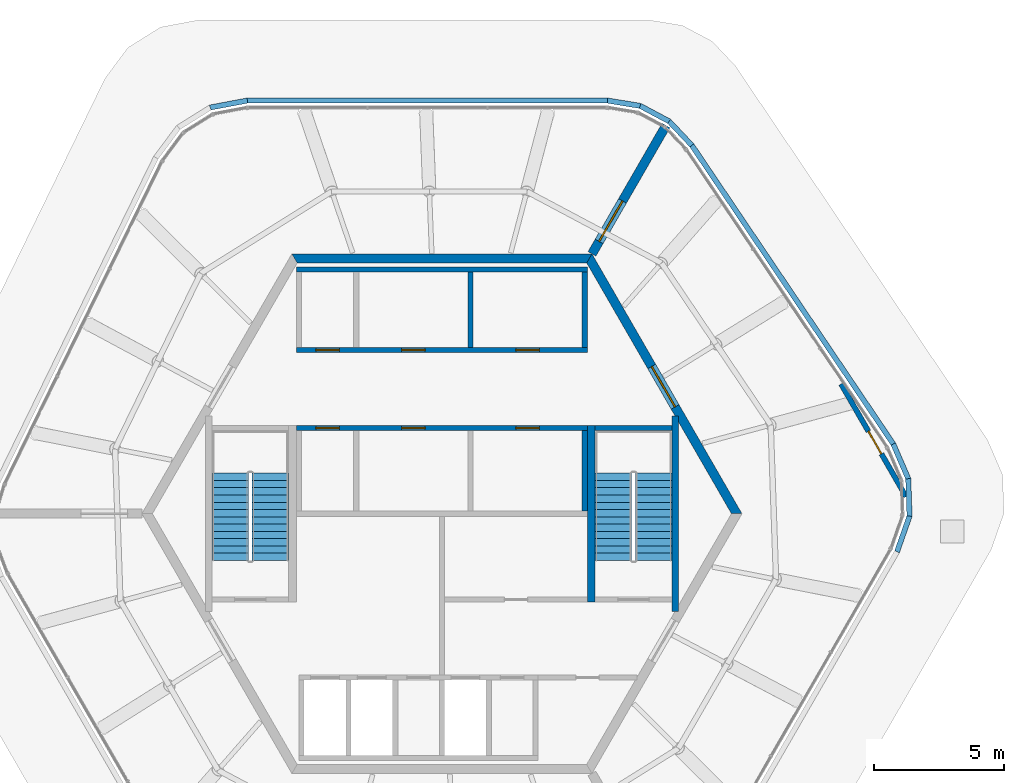
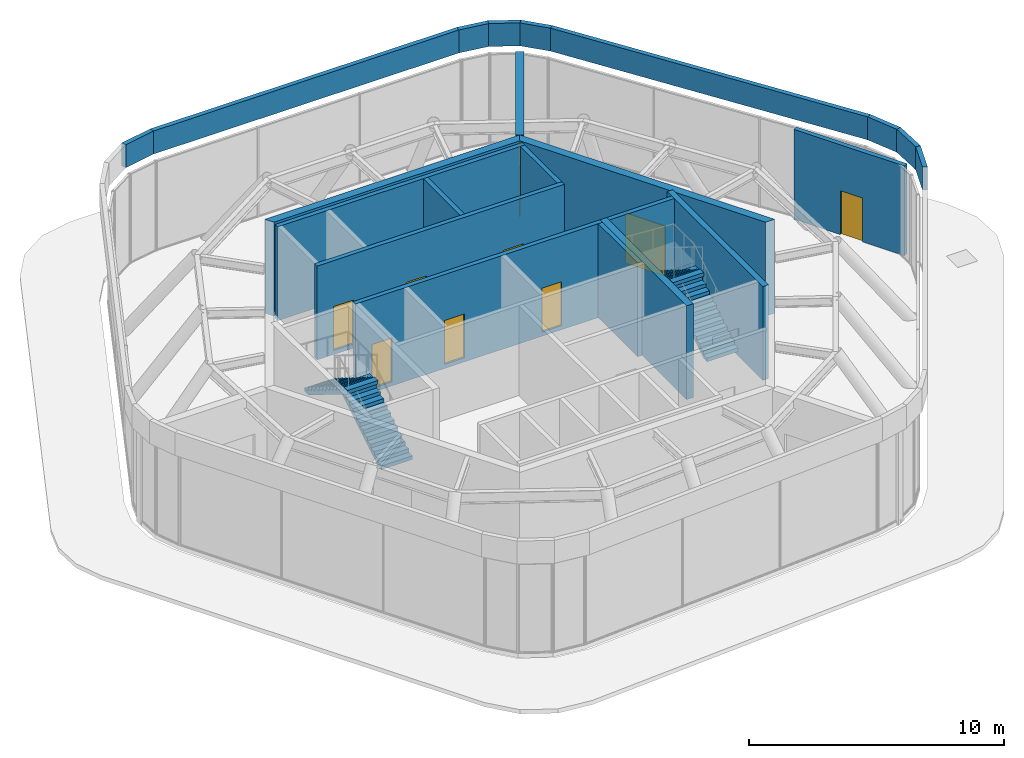
# One storey, part 8 of 9: 22 walls, 9 doors, 4 stair flights, 9 openings, 2 elements without a shape of their own.
"""IFC4 building model written with IfcOpenShell, lengths in metres."""

from ifc_helpers import new_model, si_unit, direction, frame, frame_2d, origin, place, context, subcontext, project, spatial, polyline, rectangle, outline, extrude, material, layer, layer_set, type_object, element, fill, aggregate, save


model = new_model("IFC4")

# Units and contexts
model_context = context("Model", 3, precision=1e-05, world=origin(), true_north=direction((0.0, 1.0)))
body_context = subcontext(model_context, "Body", "Model", "MODEL_VIEW")
ifc_project = project(units=[si_unit("LENGTHUNIT", "METRE"), si_unit("AREAUNIT", "SQUARE_METRE"), si_unit("VOLUMEUNIT", "CUBIC_METRE"), si_unit("PLANEANGLEUNIT", "RADIAN"), si_unit("MASSUNIT", "GRAM", prefix="KILO")], contexts=[model_context])

# Site, building, storey
site_placement = place(None, origin())
site = spatial("IfcSite", under=ifc_project, at=site_placement, CompositionType="ELEMENT")
building_placement = place(site_placement, origin())
building = spatial("IfcBuilding", under=site, at=building_placement, Name="Tarnside Tower", CompositionType="ELEMENT")
storey_placement = place(building_placement, frame((0.0, 0.0, 397.199951171875)))
storey = spatial("IfcBuildingStorey", under=building, at=storey_placement, Name="L94", CompositionType="ELEMENT", Elevation=397.199951171875)

# Wall, opening, door
ifc_material_1 = material(Name="Concrete C50/60", Category="concrete")
ifc_layer_1 = layer(ifc_material_1, 0.35009765625)
ifc_layer_set_1 = layer_set([ifc_layer_1], Name="Core wall Z4 350 C50/60")
wall_type_1 = type_object("IfcWallType", Name="Core wall Z4 350 C50/60", PredefinedType="SHEAR", material=ifc_layer_set_1)
wall_1_placement = place(storey_placement, frame((11.344970703125, 0.0, -0.199951171875), z_axis=(0.0, 0.0, 1.0), x_axis=(-0.499995046907, 0.866028263435, 0.0)))
wall_1 = element("IfcWall", 1, at=wall_1_placement, inside=storey, type_object=wall_type_1, Name="L94 core wall face 6", PredefinedType="SHEAR", context=body_context, shape_type="SweptSolid", body=[
    extrude(outline(polyline([(-0.10107421875, -0.175048828125), (11.44580078125, -0.175048828125), (11.24365234375, 0.175048828125), (0.10107421875, 0.175048828125), (-0.10107421875, -0.175048828125)])), origin(), (0.0, 0.0, 1.0), 4.5),
])
opening_1_placement = place(wall_1_placement, frame((4.74365234375, 0.0, 0.199951171875)))
opening_1 = element("IfcOpeningElement", 2, at=opening_1_placement, cuts=wall_1, Name="Opening CD-LOB", PredefinedType="OPENING", context=body_context, shape_type="SweptSolid", body=[
    extrude(rectangle(XDim=1.800048828125, YDim=2.39990234375, at=frame_2d((0.89990234375, 1.199951171875))), frame((0.0, 0.18505859375, 0.0), z_axis=(0.0, -1.0, 0.0), x_axis=(1.0, 0.0, 0.0)), (0.0, 0.0, 1.0), 0.3701171875),
])
ifc_material_2 = material(Name="Steel fire door", Category="steel")
door_type_1 = type_object("IfcDoorType", Name="Lobby double door FD30S 1800x2400", OperationType="NOTDEFINED", PredefinedType="DOOR", material=ifc_material_2)
door_1_placement = place(opening_1_placement, origin())
door_1 = element("IfcDoor", 3, at=door_1_placement, inside=storey, type_object=door_type_1, Name="L94 core door P2", OperationType="DOUBLE_DOOR_SINGLE_SWING", OverallHeight=2.39990234375, OverallWidth=1.800048828125, PredefinedType="DOOR", context=body_context, shape_type="SweptSolid", body=[
    extrude(rectangle(XDim=1.800048828125, YDim=2.39990234375, at=frame_2d((0.89990234375, 1.199951171875))), frame((0.0, 0.02490234375, 0.0), z_axis=(0.0, -1.0, 0.0), x_axis=(1.0, 0.0, 0.0)), (0.0, 0.0, 1.0), 0.050048828125),
])
fill(opening_1, door_1)

# Wall
wall_2_placement = place(storey_placement, frame((5.672607421875, 9.824951171875, -0.199951171875), z_axis=(0.0, 0.0, 1.0), x_axis=(-1.0, 0.0, 0.0)))
element("IfcWall", 4, at=wall_2_placement, inside=storey, type_object=wall_type_1, Name="L94 core wall face 1", PredefinedType="SHEAR", context=body_context, shape_type="SweptSolid", body=[
    extrude(outline(polyline([(-0.10107421875, -0.175048828125), (11.4462890625, -0.175048828125), (11.244140625, 0.175048828125), (0.10107421875, 0.175048828125), (-0.10107421875, -0.175048828125)])), origin(), (0.0, 0.0, 1.0), 4.5),
])

# Wall, opening, door
wall_3_placement = place(storey_placement, frame((5.7734375, 10.0, -0.199951171875), z_axis=(0.0, 0.0, 1.0), x_axis=(0.499991653138, 0.866030222794, 0.0)))
wall_3 = element("IfcWall", 5, at=wall_3_placement, inside=storey, type_object=wall_type_1, Name="L94 spine wall 1", PredefinedType="SHEAR", context=body_context, shape_type="SweptSolid", body=[
    extrude(rectangle(XDim=5.70458984375, YDim=0.35009765625, at=frame_2d((2.852294921875, 0.0))), origin(), (0.0, 0.0, 1.0), 4.5),
])
opening_2_placement = place(wall_3_placement, frame((0.55224609375, 0.0, 0.199951171875)))
opening_2 = element("IfcOpeningElement", 6, at=opening_2_placement, cuts=wall_3, Name="Opening CD-SPN", PredefinedType="OPENING", context=body_context, shape_type="SweptSolid", body=[
    extrude(rectangle(XDim=1.800048828125, YDim=2.39990234375, at=frame_2d((0.89990234375, 1.199951171875))), frame((0.0, 0.18505859375, 0.0), z_axis=(0.0, -1.0, 0.0), x_axis=(1.0, 0.0, 0.0)), (0.0, 0.0, 1.0), 0.3701171875),
])
door_type_2 = type_object("IfcDoorType", Name="Spine passage double door FD60 1800x2400", OperationType="NOTDEFINED", PredefinedType="DOOR", material=ifc_material_2)
door_2_placement = place(opening_2_placement, origin())
door_2 = element("IfcDoor", 7, at=door_2_placement, inside=storey, type_object=door_type_2, Name="L94 spine passage door 1", OperationType="DOUBLE_DOOR_SINGLE_SWING", OverallHeight=2.39990234375, OverallWidth=1.800048828125, PredefinedType="DOOR", context=body_context, shape_type="SweptSolid", body=[
    extrude(rectangle(XDim=1.800048828125, YDim=2.39990234375, at=frame_2d((0.89990234375, 1.199951171875))), frame((0.0, 0.02490234375, 0.0), z_axis=(0.0, -1.0, 0.0), x_axis=(1.0, 0.0, 0.0)), (0.0, 0.0, 1.0), 0.050048828125),
])
fill(opening_2, door_2)

# Wall, openings, doors
ifc_material_3 = material(Name="Concrete C40/50", Category="concrete")
ifc_layer_2 = layer(ifc_material_3, 0.199951171875)
ifc_layer_set_2 = layer_set([ifc_layer_2], Name="Lift shaft wall 200 C40/50")
wall_type_2 = type_object("IfcWallType", Name="Lift shaft wall 200 C40/50", PredefinedType="SHEAR", material=ifc_layer_set_2)
wall_4_placement = place(storey_placement, frame((-5.60009765625, 6.300048828125, -0.199951171875), z_axis=(0.0, 0.0, 1.0), x_axis=(1.0, 0.0, 0.0)))
wall_4 = element("IfcWall", 8, at=wall_4_placement, inside=storey, type_object=wall_type_2, Name="L94 lift shaft front wall R1", PredefinedType="SHEAR", context=body_context, shape_type="SweptSolid", body=[
    extrude(rectangle(XDim=11.2001953125, YDim=0.199951171875, at=frame_2d((5.60009765625, 0.0))), origin(), (0.0, 0.0, 1.0), 4.5),
])
opening_3_placement = place(wall_4_placement, frame((0.75, 0.0, 0.199951171875)))
opening_3 = element("IfcOpeningElement", 9, at=opening_3_placement, cuts=wall_4, Name="Opening CD-room", PredefinedType="OPENING", context=body_context, shape_type="SweptSolid", body=[
    extrude(rectangle(XDim=0.89990234375, YDim=2.10009765625, at=frame_2d((0.449951171875, 1.050048828125))), frame((0.0, 0.10986328125, 0.0), z_axis=(0.0, -1.0, 0.0), x_axis=(1.0, 0.0, 0.0)), (0.0, 0.0, 1.0), 0.219970703125),
])
opening_4_placement = place(wall_4_placement, frame((4.050048828125, 0.0, 0.199951171875)))
opening_4 = element("IfcOpeningElement", 10, at=opening_4_placement, cuts=wall_4, Name="Opening CD-room", PredefinedType="OPENING", context=body_context, shape_type="SweptSolid", body=[
    extrude(rectangle(XDim=0.89990234375, YDim=2.10009765625, at=frame_2d((0.449951171875, 1.050048828125))), frame((0.0, 0.10986328125, 0.0), z_axis=(0.0, -1.0, 0.0), x_axis=(1.0, 0.0, 0.0)), (0.0, 0.0, 1.0), 0.219970703125),
])
opening_5_placement = place(wall_4_placement, frame((8.449951171875, 0.0, 0.199951171875)))
opening_5 = element("IfcOpeningElement", 11, at=opening_5_placement, cuts=wall_4, Name="Opening CD-room", PredefinedType="OPENING", context=body_context, shape_type="SweptSolid", body=[
    extrude(rectangle(XDim=0.89990234375, YDim=2.10009765625, at=frame_2d((0.449951171875, 1.050048828125))), frame((0.0, 0.10986328125, 0.0), z_axis=(0.0, -1.0, 0.0), x_axis=(1.0, 0.0, 0.0)), (0.0, 0.0, 1.0), 0.219970703125),
])
door_type_3 = type_object("IfcDoorType", Name="Room door FD60 900x2100", OperationType="NOTDEFINED", PredefinedType="DOOR", material=ifc_material_2)
door_3_placement = place(opening_3_placement, origin())
door_3 = element("IfcDoor", 12, at=door_3_placement, inside=storey, type_object=door_type_3, Name="L94 core room door FC1", OperationType="SINGLE_SWING_LEFT", OverallHeight=2.10009765625, OverallWidth=0.89990234375, PredefinedType="DOOR", context=body_context, shape_type="SweptSolid", body=[
    extrude(rectangle(XDim=0.89990234375, YDim=2.10009765625, at=frame_2d((0.449951171875, 1.050048828125))), frame((0.0, 0.02490234375, 0.0), z_axis=(0.0, -1.0, 0.0), x_axis=(1.0, 0.0, 0.0)), (0.0, 0.0, 1.0), 0.050048828125),
])
fill(opening_3, door_3)
door_4_placement = place(opening_4_placement, origin())
door_4 = element("IfcDoor", 13, at=door_4_placement, inside=storey, type_object=door_type_3, Name="L94 core room door FC2", OperationType="SINGLE_SWING_LEFT", OverallHeight=2.10009765625, OverallWidth=0.89990234375, PredefinedType="DOOR", context=body_context, shape_type="SweptSolid", body=[
    extrude(rectangle(XDim=0.89990234375, YDim=2.10009765625, at=frame_2d((0.449951171875, 1.050048828125))), frame((0.0, 0.02490234375, 0.0), z_axis=(0.0, -1.0, 0.0), x_axis=(1.0, 0.0, 0.0)), (0.0, 0.0, 1.0), 0.050048828125),
])
fill(opening_4, door_4)
door_5_placement = place(opening_5_placement, origin())
door_5 = element("IfcDoor", 14, at=door_5_placement, inside=storey, type_object=door_type_3, Name="L94 core room door FC3", OperationType="SINGLE_SWING_LEFT", OverallHeight=2.10009765625, OverallWidth=0.89990234375, PredefinedType="DOOR", context=body_context, shape_type="SweptSolid", body=[
    extrude(rectangle(XDim=0.89990234375, YDim=2.10009765625, at=frame_2d((0.449951171875, 1.050048828125))), frame((0.0, 0.02490234375, 0.0), z_axis=(0.0, -1.0, 0.0), x_axis=(1.0, 0.0, 0.0)), (0.0, 0.0, 1.0), 0.050048828125),
])
fill(opening_5, door_5)

# Walls
wall_5_placement = place(storey_placement, frame((-5.60009765625, 9.39990234375, -0.199951171875), z_axis=(0.0, 0.0, 1.0), x_axis=(1.0, 0.0, 0.0)))
element("IfcWall", 15, at=wall_5_placement, inside=storey, type_object=wall_type_2, Name="L94 lift shaft back wall R1", PredefinedType="SHEAR", context=body_context, shape_type="SweptSolid", body=[
    extrude(rectangle(XDim=11.2001953125, YDim=0.199951171875, at=frame_2d((5.60009765625, 0.0))), origin(), (0.0, 0.0, 1.0), 4.5),
])
for number, where, z_axis, x_axis, name in (
    (16, (1.10009765625, 6.39990234375, -0.199951171875), (0.0, 0.0, 1.0), (0.0, 1.0, 0.0), "L94 lift shaft partition R14"),
    (17, (5.5, 6.39990234375, -0.199951171875), (0.0, 0.0, 1.0), (0.0, 1.0, 0.0), "L94 lift shaft partition R16"),
):
    element("IfcWall", number, at=place(storey_placement, frame(where, z_axis=z_axis, x_axis=x_axis)), inside=storey, type_object=wall_type_2, Name=name, PredefinedType="SHEAR", context=body_context, shape_type="SweptSolid", body=[
        extrude(rectangle(XDim=2.900146484375, YDim=0.199951171875, at=frame_2d((1.4501953125, 0.0))), origin(), (0.0, 0.0, 1.0), 4.5),
    ])

# Wall, openings, doors
wall_6_placement = place(storey_placement, frame((-5.60009765625, 3.300048828125, -0.199951171875), z_axis=(0.0, 0.0, 1.0), x_axis=(1.0, 0.0, 0.0)))
wall_6 = element("IfcWall", 18, at=wall_6_placement, inside=storey, type_object=wall_type_2, Name="L94 lift shaft front wall R2", PredefinedType="SHEAR", context=body_context, shape_type="SweptSolid", body=[
    extrude(rectangle(XDim=11.2001953125, YDim=0.199951171875, at=frame_2d((5.60009765625, 0.0))), origin(), (0.0, 0.0, 1.0), 4.5),
])
opening_6_placement = place(wall_6_placement, frame((0.75, 0.0, 0.199951171875)))
opening_6 = element("IfcOpeningElement", 19, at=opening_6_placement, cuts=wall_6, Name="Opening CD-room", PredefinedType="OPENING", context=body_context, shape_type="SweptSolid", body=[
    extrude(rectangle(XDim=0.89990234375, YDim=2.10009765625, at=frame_2d((0.449951171875, 1.050048828125))), frame((0.0, 0.10986328125, 0.0), z_axis=(0.0, -1.0, 0.0), x_axis=(1.0, 0.0, 0.0)), (0.0, 0.0, 1.0), 0.219970703125),
])
opening_7_placement = place(wall_6_placement, frame((4.050048828125, 0.0, 0.199951171875)))
opening_7 = element("IfcOpeningElement", 20, at=opening_7_placement, cuts=wall_6, Name="Opening CD-room", PredefinedType="OPENING", context=body_context, shape_type="SweptSolid", body=[
    extrude(rectangle(XDim=0.89990234375, YDim=2.10009765625, at=frame_2d((0.449951171875, 1.050048828125))), frame((0.0, 0.10986328125, 0.0), z_axis=(0.0, -1.0, 0.0), x_axis=(1.0, 0.0, 0.0)), (0.0, 0.0, 1.0), 0.219970703125),
])
opening_8_placement = place(wall_6_placement, frame((8.449951171875, 0.0, 0.199951171875)))
opening_8 = element("IfcOpeningElement", 21, at=opening_8_placement, cuts=wall_6, Name="Opening CD-room", PredefinedType="OPENING", context=body_context, shape_type="SweptSolid", body=[
    extrude(rectangle(XDim=0.89990234375, YDim=2.10009765625, at=frame_2d((0.449951171875, 1.050048828125))), frame((0.0, 0.10986328125, 0.0), z_axis=(0.0, -1.0, 0.0), x_axis=(1.0, 0.0, 0.0)), (0.0, 0.0, 1.0), 0.219970703125),
])
door_6_placement = place(opening_6_placement, origin())
door_6 = element("IfcDoor", 22, at=door_6_placement, inside=storey, type_object=door_type_3, Name="L94 core room door FC4", OperationType="SINGLE_SWING_LEFT", OverallHeight=2.10009765625, OverallWidth=0.89990234375, PredefinedType="DOOR", context=body_context, shape_type="SweptSolid", body=[
    extrude(rectangle(XDim=0.89990234375, YDim=2.10009765625, at=frame_2d((0.449951171875, 1.050048828125))), frame((0.0, 0.02490234375, 0.0), z_axis=(0.0, -1.0, 0.0), x_axis=(1.0, 0.0, 0.0)), (0.0, 0.0, 1.0), 0.050048828125),
])
fill(opening_6, door_6)
door_7_placement = place(opening_7_placement, origin())
door_7 = element("IfcDoor", 23, at=door_7_placement, inside=storey, type_object=door_type_3, Name="L94 core room door FC5", OperationType="SINGLE_SWING_LEFT", OverallHeight=2.10009765625, OverallWidth=0.89990234375, PredefinedType="DOOR", context=body_context, shape_type="SweptSolid", body=[
    extrude(rectangle(XDim=0.89990234375, YDim=2.10009765625, at=frame_2d((0.449951171875, 1.050048828125))), frame((0.0, 0.02490234375, 0.0), z_axis=(0.0, -1.0, 0.0), x_axis=(1.0, 0.0, 0.0)), (0.0, 0.0, 1.0), 0.050048828125),
])
fill(opening_7, door_7)
door_8_placement = place(opening_8_placement, origin())
door_8 = element("IfcDoor", 24, at=door_8_placement, inside=storey, type_object=door_type_3, Name="L94 core room door FC6", OperationType="SINGLE_SWING_LEFT", OverallHeight=2.10009765625, OverallWidth=0.89990234375, PredefinedType="DOOR", context=body_context, shape_type="SweptSolid", body=[
    extrude(rectangle(XDim=0.89990234375, YDim=2.10009765625, at=frame_2d((0.449951171875, 1.050048828125))), frame((0.0, 0.02490234375, 0.0), z_axis=(0.0, -1.0, 0.0), x_axis=(1.0, 0.0, 0.0)), (0.0, 0.0, 1.0), 0.050048828125),
])
fill(opening_8, door_8)

# Walls
wall_7_placement = place(storey_placement, frame((5.5, 0.10009765625, -0.199951171875), z_axis=(0.0, 0.0, 1.0), x_axis=(0.0, 1.0, 0.0)))
element("IfcWall", 25, at=wall_7_placement, inside=storey, type_object=wall_type_2, Name="L94 lift shaft partition R26", PredefinedType="SHEAR", context=body_context, shape_type="SweptSolid", body=[
    extrude(rectangle(XDim=3.099853515625, YDim=0.199951171875, at=frame_2d((1.5498046875, 0.0))), origin(), (0.0, 0.0, 1.0), 4.5),
])
wall_8_placement = place(storey_placement, frame((5.89990234375, 3.300048828125, -0.199951171875), z_axis=(0.0, 0.0, 1.0), x_axis=(1.0, 0.0, 0.0)))
element("IfcWall", 26, at=wall_8_placement, inside=storey, type_object=wall_type_2, Name="L94 stair 1 enclosure cap wall n", PredefinedType="SHEAR", context=body_context, shape_type="SweptSolid", body=[
    extrude(rectangle(XDim=2.9501953125, YDim=0.199951171875, at=frame_2d((1.47509765625, 0.0))), origin(), (0.0, 0.0, 1.0), 4.5),
])
ifc_material_4 = material(Name="Concrete C35/45 precast", Category="concrete")
ifc_layer_3 = layer(ifc_material_4, 0.199951171875)
ifc_layer_set_3 = layer_set([ifc_layer_3], Name="Parapet 200 x 1100")
wall_type_3 = type_object("IfcWallType", Name="Parapet 200 x 1100", PredefinedType="PARAPET", material=ifc_layer_set_3)
wall_9_placement = place(storey_placement, frame((6.372314453125, 15.89990234375, 4.5), z_axis=(0.0, 0.0, 1.0), x_axis=(0.986779937267, -0.162065898346, 0.0)))
element("IfcWall", 27, at=wall_9_placement, inside=storey, type_object=wall_type_3, Name="Roof parapet 01", PredefinedType="PARAPET", context=body_context, shape_type="SweptSolid", body=[
    extrude(outline(polyline([(0.008056640625, -0.10009765625), (1.256591796875, -0.10009765625), (1.289306640625, 0.10009765625), (-0.008056640625, 0.10009765625), (0.008056640625, -0.10009765625)])), origin(), (0.0, 0.0, 1.0), 1.10009765625),
])
wall_10_placement = place(storey_placement, frame((7.62841796875, 15.693603515625, 4.5), z_axis=(0.0, 0.0, 1.0), x_axis=(0.88290815292, -0.469545731008, 0.0)))
element("IfcWall", 28, at=wall_10_placement, inside=storey, type_object=wall_type_3, Name="Roof parapet 02", PredefinedType="PARAPET", context=body_context, shape_type="SweptSolid", body=[
    extrude(outline(polyline([(0.016357421875, -0.10009765625), (1.248046875, -0.10009765625), (1.28076171875, 0.10009765625), (-0.016357421875, 0.10009765625), (0.016357421875, -0.10009765625)])), origin(), (0.0, 0.0, 1.0), 1.10009765625),
])
wall_11_placement = place(storey_placement, frame((8.744873046875, 15.099853515625, 4.5), z_axis=(0.0, 0.0, 1.0), x_axis=(0.686285527981, -0.727332230885, 0.0)))
element("IfcWall", 29, at=wall_11_placement, inside=storey, type_object=wall_type_3, Name="Roof parapet 03", PredefinedType="PARAPET", context=body_context, shape_type="SweptSolid", body=[
    extrude(outline(polyline([(0.016357421875, -0.10009765625), (1.264892578125, -0.10009765625), (1.281005859375, 0.10009765625), (-0.016357421875, 0.10009765625), (0.016357421875, -0.10009765625)])), origin(), (0.0, 0.0, 1.0), 1.10009765625),
])
wall_12_placement = place(storey_placement, frame((9.618408203125, 14.174072265625, 4.5), z_axis=(0.0, 0.0, 1.0), x_axis=(0.559191500603, -0.8290385188, 0.0)))
element("IfcWall", 30, at=wall_12_placement, inside=storey, type_object=wall_type_3, Name="Roof parapet 04", PredefinedType="PARAPET", context=body_context, shape_type="SweptSolid", body=[
    extrude(outline(polyline([(0.008056640625, -0.10009765625), (13.852294921875, -0.10009765625), (13.870849609375, 0.10009765625), (-0.008056640625, 0.10009765625), (0.008056640625, -0.10009765625)])), origin(), (0.0, 0.0, 1.0), 1.10009765625),
])
wall_13_placement = place(storey_placement, frame((17.36962890625, 2.682373046875, 4.5), z_axis=(0.0, 0.0, 1.0), x_axis=(0.396007748468, -0.918247168879, 0.0)))
element("IfcWall", 31, at=wall_13_placement, inside=storey, type_object=wall_type_3, Name="Roof parapet 05", PredefinedType="PARAPET", context=body_context, shape_type="SweptSolid", body=[
    extrude(outline(polyline([(0.00927734375, -0.10009765625), (1.43359375, -0.10009765625), (1.47119140625, 0.10009765625), (-0.00927734375, 0.10009765625), (0.00927734375, -0.10009765625)])), origin(), (0.0, 0.0, 1.0), 1.10009765625),
])
wall_14_placement = place(storey_placement, frame((17.94482421875, 1.3486328125, 4.5), z_axis=(0.0, 0.0, 1.0), x_axis=(0.035021671997, -0.999386553087, 0.0)))
element("IfcWall", 32, at=wall_14_placement, inside=storey, type_object=wall_type_3, Name="Roof parapet 06", PredefinedType="PARAPET", context=body_context, shape_type="SweptSolid", body=[
    extrude(outline(polyline([(0.018798828125, -0.10009765625), (1.42431640625, -0.10009765625), (1.4619140625, 0.10009765625), (-0.018798828125, 0.10009765625), (0.018798828125, -0.10009765625)])), origin(), (0.0, 0.0, 1.0), 1.10009765625),
])
wall_15_placement = place(storey_placement, frame((17.995361328125, -0.093505859375, 4.5), z_axis=(0.0, 0.0, 1.0), x_axis=(-0.331061462049, -0.943609192593, 0.0)))
element("IfcWall", 33, at=wall_15_placement, inside=storey, type_object=wall_type_3, Name="Roof parapet 07", PredefinedType="PARAPET", context=body_context, shape_type="SweptSolid", body=[
    extrude(outline(polyline([(0.018798828125, -0.10009765625), (1.443603515625, -0.10009765625), (1.462158203125, 0.10009765625), (-0.018798828125, 0.10009765625), (0.018798828125, -0.10009765625)])), origin(), (0.0, 0.0, 1.0), 1.10009765625),
])
wall_16_placement = place(storey_placement, frame((-8.91650390625, 15.631103515625, 4.5), z_axis=(0.0, 0.0, 1.0), x_axis=(0.982729187844, 0.185049570005, 0.0)))
element("IfcWall", 34, at=wall_16_placement, inside=storey, type_object=wall_type_3, Name="Roof parapet 23", PredefinedType="PARAPET", context=body_context, shape_type="SweptSolid", body=[
    extrude(outline(polyline([(0.018798828125, -0.10009765625), (1.443359375, -0.10009765625), (1.4619140625, 0.10009765625), (-0.018798828125, 0.10009765625), (0.018798828125, -0.10009765625)])), origin(), (0.0, 0.0, 1.0), 1.10009765625),
])
wall_17_placement = place(storey_placement, frame((-7.489013671875, 15.89990234375, 4.5), z_axis=(0.0, 0.0, 1.0), x_axis=(1.0, 0.0, 0.0)))
element("IfcWall", 35, at=wall_17_placement, inside=storey, type_object=wall_type_3, Name="Roof parapet 24", PredefinedType="PARAPET", context=body_context, shape_type="SweptSolid", body=[
    extrude(outline(polyline([(0.00927734375, -0.10009765625), (13.853271484375, -0.10009765625), (13.869384765625, 0.10009765625), (-0.00927734375, 0.10009765625), (0.00927734375, -0.10009765625)])), origin(), (0.0, 0.0, 1.0), 1.10009765625),
])
ifc_layer_4 = layer(ifc_material_3, 0.25)
ifc_layer_set_4 = layer_set([ifc_layer_4], Name="Stair enclosure wall 250 C40/50")
wall_type_4 = type_object("IfcWallType", Name="Stair enclosure wall 250 C40/50", PredefinedType="SHEAR", material=ifc_layer_set_4)
wall_18_placement = place(storey_placement, frame((8.97509765625, -3.7548828125, -0.199951171875), z_axis=(0.0, 0.0, 1.0), x_axis=(0.0, 1.0, 0.0)))
element("IfcWall", 36, at=wall_18_placement, inside=storey, type_object=wall_type_4, Name="L94 stair 1 enclosure wall outer", PredefinedType="SHEAR", context=body_context, shape_type="SweptSolid", body=[
    extrude(rectangle(XDim=7.509765625, YDim=0.25, at=frame_2d((3.7548828125, 0.0))), origin(), (0.0, 0.0, 1.0), 4.5),
])
ifc_layer_5 = layer(ifc_material_3, 0.300048828125)
ifc_layer_set_5 = layer_set([ifc_layer_5], Name="Stair enclosure wall 300 C40/50")
wall_type_5 = type_object("IfcWallType", Name="Stair enclosure wall 300 C40/50", PredefinedType="SHEAR", material=ifc_layer_set_5)
wall_19_placement = place(storey_placement, frame((5.75, -3.39990234375, -0.199951171875), z_axis=(0.0, 0.0, 1.0), x_axis=(0.0, 1.0, 0.0)))
element("IfcWall", 37, at=wall_19_placement, inside=storey, type_object=wall_type_5, Name="L94 stair 1 enclosure wall inner", PredefinedType="SHEAR", context=body_context, shape_type="SweptSolid", body=[
    extrude(rectangle(XDim=6.7998046875, YDim=0.300048828125, at=frame_2d((3.39990234375, 0.0))), origin(), (0.0, 0.0, 1.0), 4.5),
])

# Wall, opening, door
ifc_material_5 = material(Name="Concrete C32/40", Category="concrete")
ifc_layer_6 = layer(ifc_material_5, 0.199951171875)
ifc_layer_set_6 = layer_set([ifc_layer_6], Name="Wall 200 reinforced Concrete C32/40")
wall_type_6 = type_object("IfcWallType", Name="Wall 200 reinforced Concrete C32/40", PredefinedType="PARTITIONING", material=ifc_layer_set_6)
wall_20_placement = place(storey_placement, frame((15.362060546875, 4.991943359375, 0.0), z_axis=(0.0, 0.0, 1.0), x_axis=(0.499915218853, -0.866074346669, 0.0)))
wall_20 = element("IfcWall", 38, at=wall_20_placement, inside=storey, type_object=wall_type_6, Name="Partition 000", PredefinedType="PARTITIONING", context=body_context, shape_type="SweptSolid", body=[
    extrude(rectangle(XDim=5.006591796875, YDim=0.199951171875, at=frame_2d((2.50341796875, 0.0))), origin(), (0.0, 0.0, 1.0), 4.300048828125),
])
opening_9_placement = place(wall_20_placement, frame((2.103271484375, 0.0, 0.0)))
opening_9 = element("IfcOpeningElement", 39, at=opening_9_placement, cuts=wall_20, Name="Opening D1000F60", PredefinedType="OPENING", context=body_context, shape_type="SweptSolid", body=[
    extrude(rectangle(XDim=1.0, YDim=2.10009765625, at=frame_2d((0.5, 1.050048828125))), frame((0.0, 0.10986328125, 0.0), z_axis=(0.0, -1.0, 0.0), x_axis=(1.0, 0.0, 0.0)), (0.0, 0.0, 1.0), 0.219970703125),
])
ifc_material_6 = material(Name="Timber door leaf", Category="wood")
door_type_4 = type_object("IfcDoorType", Name="Door 1000 x 2100 single leaf FD60 fire door", OperationType="NOTDEFINED", PredefinedType="DOOR", material=ifc_material_6)
door_9_placement = place(opening_9_placement, origin())
door_9 = element("IfcDoor", 40, at=door_9_placement, inside=storey, type_object=door_type_4, Name="Door L94-01", OperationType="SINGLE_SWING_RIGHT", OverallHeight=2.10009765625, OverallWidth=1.0, PredefinedType="DOOR", context=body_context, shape_type="SweptSolid", body=[
    extrude(rectangle(XDim=1.0, YDim=2.10009765625, at=frame_2d((0.5, 1.050048828125))), frame((0.0, 0.02490234375, 0.0), z_axis=(0.0, -1.0, 0.0), x_axis=(1.0, 0.0, 0.0)), (0.0, 0.0, 1.0), 0.050048828125),
])
fill(opening_9, door_9)

# Stair, stair flights
stair_type = type_object("IfcStairType", Name="Exit stair 1400 clear", PredefinedType="HALF_TURN_STAIR", material=ifc_material_3)
stair_1_placement = place(storey_placement, origin())
stair_1 = element("IfcStair", 41, at=stair_1_placement, inside=storey, type_object=stair_type, Name="L94 Exit stair 1", PredefinedType="HALF_TURN_STAIR")
stair_flight_type = type_object("IfcStairFlightType", Name="Exit stair flight 1400", PredefinedType="STRAIGHT", material=ifc_material_3)
stair_flight_1_placement = place(storey_placement, frame((8.14990234375, -1.800048828125, 0.0), z_axis=(0.0, 0.0, 1.0), x_axis=(0.0, 1.0, 0.0)))
stair_flight_1 = element("IfcStairFlight", 42, at=stair_flight_1_placement, type_object=stair_flight_type, Name="ST1 flight 1", NumberOfRisers=13, NumberOfTreads=12, PredefinedType="STRAIGHT", RiserHeight=0.173076923, TreadLength=0.28, context=body_context, shape_type="SweptSolid", body=[
    extrude(outline(polyline([(0.0, 0.0), (0.0, 0.173095703125), (0.280029296875, 0.173095703125), (0.280029296875, 0.34619140625), (0.56005859375, 0.34619140625), (0.56005859375, 0.519287109375), (0.840087890625, 0.519287109375), (0.840087890625, 0.6923828125), (1.1201171875, 0.6923828125), (1.1201171875, 0.865478515625), (1.39990234375, 0.865478515625), (1.39990234375, 1.03857421875), (1.679931640625, 1.03857421875), (1.679931640625, 1.21142578125), (1.9599609375, 1.21142578125), (1.9599609375, 1.384521484375), (2.239990234375, 1.384521484375), (2.239990234375, 1.5576171875), (2.52001953125, 1.5576171875), (2.52001953125, 1.730712890625), (2.800048828125, 1.730712890625), (2.800048828125, 1.90380859375), (3.080078125, 1.90380859375), (3.080078125, 2.076904296875), (3.360107421875, 2.076904296875), (3.360107421875, 2.25), (3.360107421875, 1.900634765625), (0.28515625, 0.0), (0.0, 0.0)])), frame((0.0, 0.699951171875, 0.0), z_axis=(0.0, -1.0, 0.0), x_axis=(1.0, 0.0, 0.0)), (0.0, 0.0, 1.0), 1.39990234375),
])
stair_flight_2_placement = place(storey_placement, frame((6.60009765625, 1.56005859375, 2.25), z_axis=(0.0, 0.0, 1.0), x_axis=(0.0, -1.0, 0.0)))
stair_flight_2 = element("IfcStairFlight", 43, at=stair_flight_2_placement, type_object=stair_flight_type, Name="ST1 flight 2", NumberOfRisers=13, NumberOfTreads=12, PredefinedType="STRAIGHT", RiserHeight=0.173076923, TreadLength=0.28, context=body_context, shape_type="SweptSolid", body=[
    extrude(outline(polyline([(0.0, 0.0), (0.0, 0.173095703125), (0.280029296875, 0.173095703125), (0.280029296875, 0.34619140625), (0.56005859375, 0.34619140625), (0.56005859375, 0.519287109375), (0.840087890625, 0.519287109375), (0.840087890625, 0.6923828125), (1.1201171875, 0.6923828125), (1.1201171875, 0.865478515625), (1.39990234375, 0.865478515625), (1.39990234375, 1.03857421875), (1.679931640625, 1.03857421875), (1.679931640625, 1.21142578125), (1.9599609375, 1.21142578125), (1.9599609375, 1.384521484375), (2.239990234375, 1.384521484375), (2.239990234375, 1.5576171875), (2.52001953125, 1.5576171875), (2.52001953125, 1.730712890625), (2.800048828125, 1.730712890625), (2.800048828125, 1.90380859375), (3.080078125, 1.90380859375), (3.080078125, 2.076904296875), (3.360107421875, 2.076904296875), (3.360107421875, 2.25), (3.360107421875, 1.900634765625), (0.28515625, 0.0), (0.0, 0.0)])), frame((0.0, 0.699951171875, 0.0), z_axis=(0.0, -1.0, 0.0), x_axis=(1.0, 0.0, 0.0)), (0.0, 0.0, 1.0), 1.39990234375),
])
aggregate(stair_1, [stair_flight_1, stair_flight_2])

stair_2_placement = place(storey_placement, origin())
stair_2 = element("IfcStair", 44, at=stair_2_placement, inside=storey, type_object=stair_type, Name="L94 Exit stair 2", PredefinedType="HALF_TURN_STAIR")
stair_flight_3_placement = place(storey_placement, frame((-6.60009765625, -1.800048828125, 0.0), z_axis=(0.0, 0.0, 1.0), x_axis=(0.0, 1.0, 0.0)))
stair_flight_3 = element("IfcStairFlight", 45, at=stair_flight_3_placement, type_object=stair_flight_type, Name="ST2 flight 1", NumberOfRisers=13, NumberOfTreads=12, PredefinedType="STRAIGHT", RiserHeight=0.173076923, TreadLength=0.28, context=body_context, shape_type="SweptSolid", body=[
    extrude(outline(polyline([(0.0, 0.0), (0.0, 0.173095703125), (0.280029296875, 0.173095703125), (0.280029296875, 0.34619140625), (0.56005859375, 0.34619140625), (0.56005859375, 0.519287109375), (0.840087890625, 0.519287109375), (0.840087890625, 0.6923828125), (1.1201171875, 0.6923828125), (1.1201171875, 0.865478515625), (1.39990234375, 0.865478515625), (1.39990234375, 1.03857421875), (1.679931640625, 1.03857421875), (1.679931640625, 1.21142578125), (1.9599609375, 1.21142578125), (1.9599609375, 1.384521484375), (2.239990234375, 1.384521484375), (2.239990234375, 1.5576171875), (2.52001953125, 1.5576171875), (2.52001953125, 1.730712890625), (2.800048828125, 1.730712890625), (2.800048828125, 1.90380859375), (3.080078125, 1.90380859375), (3.080078125, 2.076904296875), (3.360107421875, 2.076904296875), (3.360107421875, 2.25), (3.360107421875, 1.900634765625), (0.28515625, 0.0), (0.0, 0.0)])), frame((0.0, 0.699951171875, 0.0), z_axis=(0.0, -1.0, 0.0), x_axis=(1.0, 0.0, 0.0)), (0.0, 0.0, 1.0), 1.39990234375),
])
stair_flight_4_placement = place(storey_placement, frame((-8.14990234375, 1.56005859375, 2.25), z_axis=(0.0, 0.0, 1.0), x_axis=(0.0, -1.0, 0.0)))
stair_flight_4 = element("IfcStairFlight", 46, at=stair_flight_4_placement, type_object=stair_flight_type, Name="ST2 flight 2", NumberOfRisers=13, NumberOfTreads=12, PredefinedType="STRAIGHT", RiserHeight=0.173076923, TreadLength=0.28, context=body_context, shape_type="SweptSolid", body=[
    extrude(outline(polyline([(0.0, 0.0), (0.0, 0.173095703125), (0.280029296875, 0.173095703125), (0.280029296875, 0.34619140625), (0.56005859375, 0.34619140625), (0.56005859375, 0.519287109375), (0.840087890625, 0.519287109375), (0.840087890625, 0.6923828125), (1.1201171875, 0.6923828125), (1.1201171875, 0.865478515625), (1.39990234375, 0.865478515625), (1.39990234375, 1.03857421875), (1.679931640625, 1.03857421875), (1.679931640625, 1.21142578125), (1.9599609375, 1.21142578125), (1.9599609375, 1.384521484375), (2.239990234375, 1.384521484375), (2.239990234375, 1.5576171875), (2.52001953125, 1.5576171875), (2.52001953125, 1.730712890625), (2.800048828125, 1.730712890625), (2.800048828125, 1.90380859375), (3.080078125, 1.90380859375), (3.080078125, 2.076904296875), (3.360107421875, 2.076904296875), (3.360107421875, 2.25), (3.360107421875, 1.900634765625), (0.28515625, 0.0), (0.0, 0.0)])), frame((0.0, 0.699951171875, 0.0), z_axis=(0.0, -1.0, 0.0), x_axis=(1.0, 0.0, 0.0)), (0.0, 0.0, 1.0), 1.39990234375),
])
aggregate(stair_2, [stair_flight_3, stair_flight_4])

save(model, "model.ifc")
